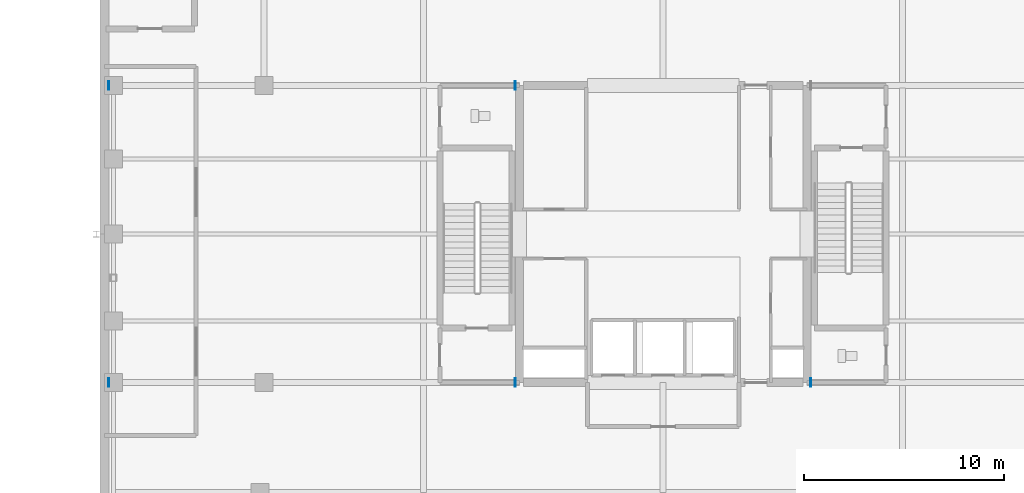
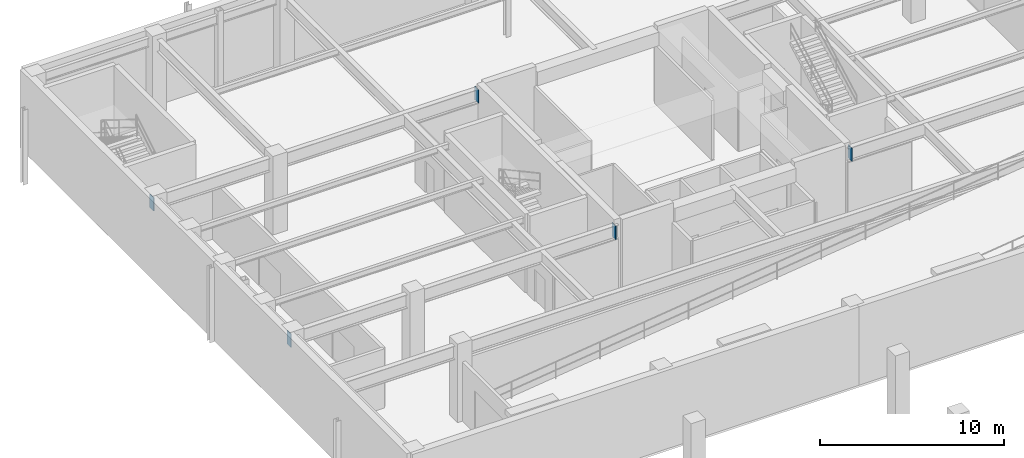
# One storey, part 9 of 16: 5 plates.
"""IFC4 building model written with IfcOpenShell, lengths in metres."""

from ifc_helpers import new_model, si_unit, direction, frame, origin, origin_2d, place, context, subcontext, project, spatial, rectangle, extrude, material, layer, layer_set, type_object, element, save


model = new_model("IFC4")

# Units and contexts
model_context = context("Model", 3, precision=1e-05, world=origin(), true_north=direction((0.0, 1.0)))
body_context = subcontext(model_context, "Body", "Model", "MODEL_VIEW")
ifc_project = project(units=[si_unit("LENGTHUNIT", "METRE"), si_unit("AREAUNIT", "SQUARE_METRE"), si_unit("VOLUMEUNIT", "CUBIC_METRE"), si_unit("PLANEANGLEUNIT", "RADIAN"), si_unit("MASSUNIT", "GRAM", prefix="KILO")], contexts=[model_context])

# Site, building, storey
site_placement = place(None, origin())
site = spatial("IfcSite", under=ifc_project, at=site_placement, CompositionType="ELEMENT")
building_placement = place(site_placement, origin())
building = spatial("IfcBuilding", under=site, at=building_placement, Name="Veldorina Hangang Commons", CompositionType="ELEMENT")
storey_placement = place(building_placement, frame((0.0, 0.0, -5.199951171875)))
storey = spatial("IfcBuildingStorey", under=building, at=storey_placement, Name="B01", CompositionType="ELEMENT", Elevation=-5.199951171875)

# Plates
ifc_material = material(Name="Steel SM490-TMC", Category="steel")
ifc_layer = layer(ifc_material, 0.044921875)
ifc_layer_set = layer_set([ifc_layer], Name="Steel SM490-TMC")
plate_type = type_object("IfcPlateType", Name="PL-NODE-45", PredefinedType="SHEET", material=ifc_layer_set)
for number, where, z_axis, x_axis, name in (
    (1, (24.60009765625, 16.550048828125, 4.010009765625), (0.0, 0.0, 1.0), (1.0, 0.0, 0.0), "B01 west collector girder GD core embed plate"),
    (2, (39.39990234375, 16.550048828125, 4.010009765625), (0.0, 0.0, 1.0), (1.0, 0.0, 0.0), "B01 east collector girder GD core embed plate"),
    (3, (4.22509765625, 16.550048828125, 4.010009765625), (0.0, 0.0, 1.0), (1.0, 0.0, 0.0), "B01 west collector girder GD wall embed plate"),
    (4, (24.60009765625, 31.449951171875, 4.010009765625), (0.0, 0.0, 1.0), (1.0, 0.0, 0.0), "B01 west collector girder GF core embed plate"),
    (5, (4.22509765625, 31.449951171875, 4.010009765625), (0.0, 0.0, 1.0), (1.0, 0.0, 0.0), "B01 west collector girder GF wall embed plate"),
):
    element("IfcPlate", number, at=place(storey_placement, frame(where, z_axis=z_axis, x_axis=x_axis)), inside=storey, type_object=plate_type, Name=name, PredefinedType="SHEET", context=body_context, shape_type="SweptSolid", body=[
        extrude(rectangle(XDim=0.044921875, YDim=0.419921875, at=origin_2d()), origin(), (0.0, 0.0, 1.0), 0.8798828125),
    ])

save(model, "model.ifc")
